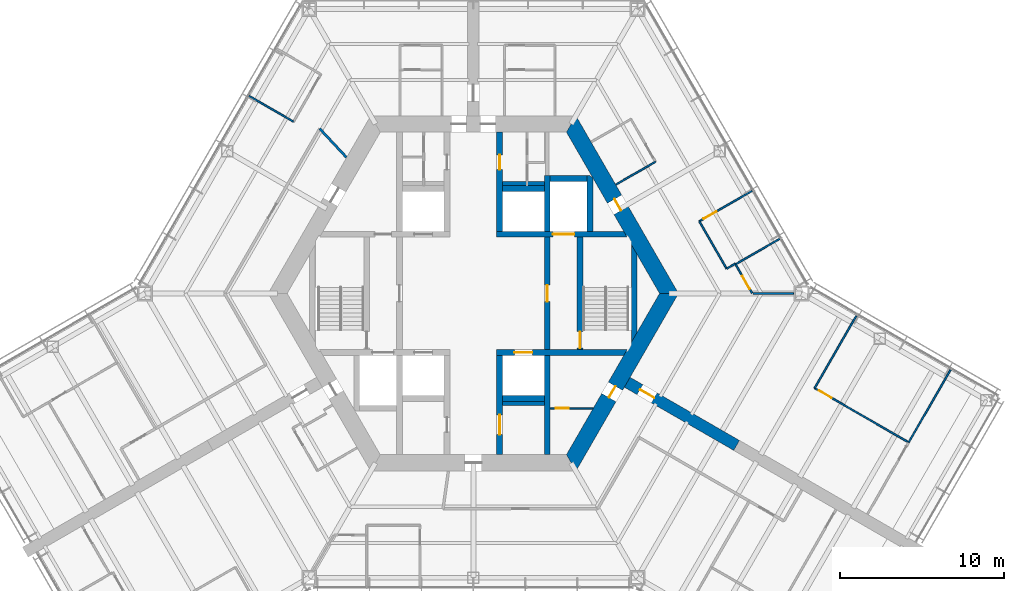
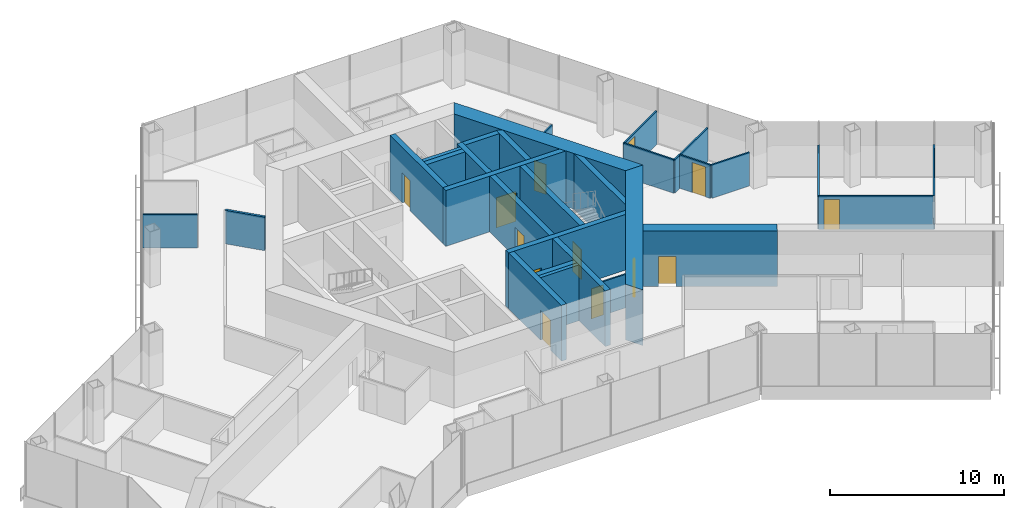
# One storey, part 14 of 18: 31 walls, 13 doors, 13 openings.
"""IFC4 building model written with IfcOpenShell, lengths in metres."""

from ifc_helpers import new_model, si_unit, direction, frame, frame_2d, origin, place, context, subcontext, project, spatial, polyline, rectangle, outline, extrude, material, layer, layer_set, type_object, element, fill, save


model = new_model("IFC4")

# Units and contexts
model_context = context("Model", 3, precision=1e-05, world=origin(), true_north=direction((0.0, 1.0)))
body_context = subcontext(model_context, "Body", "Model", "MODEL_VIEW")
ifc_project = project(units=[si_unit("LENGTHUNIT", "METRE"), si_unit("AREAUNIT", "SQUARE_METRE"), si_unit("VOLUMEUNIT", "CUBIC_METRE"), si_unit("PLANEANGLEUNIT", "RADIAN"), si_unit("MASSUNIT", "GRAM", prefix="KILO")], contexts=[model_context])

# Site, building, storey
site_placement = place(None, origin())
site = spatial("IfcSite", under=ifc_project, at=site_placement, CompositionType="ELEMENT")
building_placement = place(site_placement, origin())
building = spatial("IfcBuilding", under=site, at=building_placement, Name="Kasaneha Research Tower", CompositionType="ELEMENT")
storey_placement = place(building_placement, frame((0.0, 0.0, 199.39990234375)))
storey = spatial("IfcBuildingStorey", under=building, at=storey_placement, Name="L50", CompositionType="ELEMENT", Elevation=199.39990234375)

# Wall, opening, door
ifc_material_1 = material(Name="Concrete Fc70", Category="concrete")
ifc_layer_1 = layer(ifc_material_1, 0.35009765625)
ifc_layer_set_1 = layer_set([ifc_layer_1], Name="Core internal wall 350 Fc70")
wall_type_1 = type_object("IfcWallType", Name="Core internal wall 350 Fc70", PredefinedType="SHEAR", material=ifc_layer_set_1)
wall_1_placement = place(storey_placement, frame((1.425048828125, 3.60009765625, 0.0), z_axis=(0.0, 0.0, 1.0), x_axis=(1.0, 0.0, 0.0)))
wall_1 = element("IfcWall", 1, at=wall_1_placement, inside=storey, type_object=wall_type_1, Name="Core wall W1E L50", PredefinedType="SHEAR", context=body_context, shape_type="SweptSolid", body=[
    extrude(outline(polyline([(0.0, -0.175048828125), (3.425048828125, -0.175048828125), (4.72509765625, -0.175048828125), (7.9423828125, -0.175048828125), (7.740234375, 0.175048828125), (4.72509765625, 0.175048828125), (3.425048828125, 0.175048828125), (0.0, 0.175048828125), (0.0, -0.175048828125)])), origin(), (0.0, 0.0, 1.0), 3.900146484375),
])
opening_1_placement = place(wall_1_placement, frame((3.425048828125, 0.0, 0.0)))
opening_1 = element("IfcOpeningElement", 2, at=opening_1_placement, cuts=wall_1, Name="Opening LD-FL1-L50", PredefinedType="OPENING", context=body_context, shape_type="SweptSolid", body=[
    extrude(rectangle(XDim=1.300048828125, YDim=2.10009765625, at=frame_2d((0.64990234375, 1.050048828125))), frame((0.0, 0.18505859375, 0.0), z_axis=(0.0, -1.0, 0.0), x_axis=(1.0, 0.0, 0.0)), (0.0, 0.0, 1.0), 0.3701171875),
])
ifc_material_2 = material(Name="Steel", Category="steel")
door_type_1 = type_object("IfcDoorType", Name="Lift landing door 1300x2100", OperationType="DOUBLE_DOOR_SLIDING", PredefinedType="DOOR", material=ifc_material_2)
door_1_placement = place(opening_1_placement, origin())
door_1 = element("IfcDoor", 3, at=door_1_placement, inside=storey, type_object=door_type_1, Name="Landing door FL1 LD-FL1-L50", OperationType="DOUBLE_DOOR_SLIDING", OverallHeight=2.10009765625, OverallWidth=1.300048828125, PredefinedType="DOOR", context=body_context, shape_type="SweptSolid", body=[
    extrude(rectangle(XDim=1.300048828125, YDim=2.10009765625, at=frame_2d((0.64990234375, 1.050048828125))), frame((0.0, 0.02490234375, 0.0), z_axis=(0.0, -1.0, 0.0), x_axis=(1.0, 0.0, 0.0)), (0.0, 0.0, 1.0), 0.050048828125),
])
fill(opening_1, door_1)

wall_2_placement = place(storey_placement, frame((1.425048828125, -3.60009765625, 0.0), z_axis=(0.0, 0.0, 1.0), x_axis=(1.0, 0.0, 0.0)))
wall_2 = element("IfcWall", 4, at=wall_2_placement, inside=storey, type_object=wall_type_1, Name="Core wall W2E L50", PredefinedType="SHEAR", context=body_context, shape_type="SweptSolid", body=[
    extrude(outline(polyline([(0.0, -0.175048828125), (1.074951171875, -0.175048828125), (2.175048828125, -0.175048828125), (7.740234375, -0.175048828125), (7.9423828125, 0.175048828125), (2.175048828125, 0.175048828125), (1.074951171875, 0.175048828125), (0.0, 0.175048828125), (0.0, -0.175048828125)])), origin(), (0.0, 0.0, 1.0), 3.900146484375),
])
opening_2_placement = place(wall_2_placement, frame((1.074951171875, 0.0, 0.0)))
opening_2 = element("IfcOpeningElement", 5, at=opening_2_placement, cuts=wall_2, Name="Opening LD-LM2-L50", PredefinedType="OPENING", context=body_context, shape_type="SweptSolid", body=[
    extrude(rectangle(XDim=1.10009765625, YDim=2.10009765625, at=frame_2d((0.550048828125, 1.050048828125))), frame((0.0, 0.18505859375, 0.0), z_axis=(0.0, -1.0, 0.0), x_axis=(1.0, 0.0, 0.0)), (0.0, 0.0, 1.0), 0.3701171875),
])
ifc_material_3 = material(Name="Steel", Category="steel")
door_type_2 = type_object("IfcDoorType", Name="Lift landing door 1100x2100", OperationType="DOUBLE_DOOR_SLIDING", PredefinedType="DOOR", material=ifc_material_3)
door_2_placement = place(opening_2_placement, origin())
door_2 = element("IfcDoor", 6, at=door_2_placement, inside=storey, type_object=door_type_2, Name="Landing door LM2 LD-LM2-L50", OperationType="DOUBLE_DOOR_SLIDING", OverallHeight=2.10009765625, OverallWidth=1.10009765625, PredefinedType="DOOR", context=body_context, shape_type="SweptSolid", body=[
    extrude(rectangle(XDim=1.10009765625, YDim=2.10009765625, at=frame_2d((0.550048828125, 1.050048828125))), frame((0.0, 0.02490234375, 0.0), z_axis=(0.0, -1.0, 0.0), x_axis=(1.0, 0.0, 0.0)), (0.0, 0.0, 1.0), 0.050048828125),
])
fill(opening_2, door_2)

wall_3_placement = place(storey_placement, frame((1.60009765625, 3.77490234375, 0.0), z_axis=(0.0, 0.0, 1.0), x_axis=(0.0, 1.0, 0.0)))
wall_3 = element("IfcWall", 7, at=wall_3_placement, inside=storey, type_object=wall_type_1, Name="Core wall CNE L50", PredefinedType="SHEAR", context=body_context, shape_type="SweptSolid", body=[
    extrude(rectangle(XDim=6.050048828125, YDim=0.35009765625, at=frame_2d((3.02490234375, 0.0))), origin(), (0.0, 0.0, 1.0), 3.900146484375),
])
opening_3_placement = place(wall_3_placement, frame((3.77490234375, 0.0, 0.0)))
opening_3 = element("IfcOpeningElement", 8, at=opening_3_placement, cuts=wall_3, Name="Opening L50-D14", PredefinedType="OPENING", context=body_context, shape_type="SweptSolid", body=[
    extrude(rectangle(XDim=0.89990234375, YDim=2.10009765625, at=frame_2d((0.449951171875, 1.050048828125))), frame((0.0, 0.18505859375, 0.0), z_axis=(0.0, -1.0, 0.0), x_axis=(1.0, 0.0, 0.0)), (0.0, 0.0, 1.0), 0.3701171875),
])
ifc_material_4 = material(Name="Steel", Category="steel")
door_type_3 = type_object("IfcDoorType", Name="Toilet door FD20 900x2100", OperationType="NOTDEFINED", PredefinedType="DOOR", material=ifc_material_4)
door_3_placement = place(opening_3_placement, origin())
door_3 = element("IfcDoor", 9, at=door_3_placement, inside=storey, type_object=door_type_3, Name="Women's WC door L50-D14", OperationType="SINGLE_SWING_LEFT", OverallHeight=2.10009765625, OverallWidth=0.89990234375, PredefinedType="DOOR", context=body_context, shape_type="SweptSolid", body=[
    extrude(rectangle(XDim=0.89990234375, YDim=2.10009765625, at=frame_2d((0.449951171875, 1.050048828125))), frame((0.0, 0.02490234375, 0.0), z_axis=(0.0, -1.0, 0.0), x_axis=(1.0, 0.0, 0.0)), (0.0, 0.0, 1.0), 0.050048828125),
])
fill(opening_3, door_3)

wall_4_placement = place(storey_placement, frame((1.60009765625, -3.77490234375, 0.0), z_axis=(0.0, 0.0, 1.0), x_axis=(0.0, -1.0, 0.0)))
wall_4 = element("IfcWall", 10, at=wall_4_placement, inside=storey, type_object=wall_type_1, Name="Core wall CSE L50", PredefinedType="SHEAR", context=body_context, shape_type="SweptSolid", body=[
    extrude(rectangle(XDim=6.050048828125, YDim=0.35009765625, at=frame_2d((3.02490234375, 0.0))), origin(), (0.0, 0.0, 1.0), 3.900146484375),
])
opening_4_placement = place(wall_4_placement, frame((3.625, 0.0, 0.0)))
opening_4 = element("IfcOpeningElement", 11, at=opening_4_placement, cuts=wall_4, Name="Opening L50-D15", PredefinedType="OPENING", context=body_context, shape_type="SweptSolid", body=[
    extrude(rectangle(XDim=1.199951171875, YDim=2.10009765625, at=frame_2d((0.60009765625, 1.050048828125))), frame((0.0, 0.18505859375, 0.0), z_axis=(0.0, -1.0, 0.0), x_axis=(1.0, 0.0, 0.0)), (0.0, 0.0, 1.0), 0.3701171875),
])
ifc_material_5 = material(Name="Steel", Category="steel")
door_type_4 = type_object("IfcDoorType", Name="Accessible toilet sliding door FD20 1200x2100", OperationType="SLIDING_TO_LEFT", PredefinedType="DOOR", material=ifc_material_5)
door_4_placement = place(opening_4_placement, origin())
door_4 = element("IfcDoor", 12, at=door_4_placement, inside=storey, type_object=door_type_4, Name="Accessible WC door L50-D15", OperationType="SLIDING_TO_LEFT", OverallHeight=2.10009765625, OverallWidth=1.199951171875, PredefinedType="DOOR", context=body_context, shape_type="SweptSolid", body=[
    extrude(rectangle(XDim=1.199951171875, YDim=2.10009765625, at=frame_2d((0.60009765625, 1.050048828125))), frame((0.0, 0.02490234375, 0.0), z_axis=(0.0, -1.0, 0.0), x_axis=(1.0, 0.0, 0.0)), (0.0, 0.0, 1.0), 0.050048828125),
])
fill(opening_4, door_4)

wall_5_placement = place(storey_placement, frame((4.5, -3.425048828125, 0.0), z_axis=(0.0, 0.0, 1.0), x_axis=(0.0, 1.0, 0.0)))
wall_5 = element("IfcWall", 13, at=wall_5_placement, inside=storey, type_object=wall_type_1, Name="Core wall LBE L50", PredefinedType="SHEAR", context=body_context, shape_type="SweptSolid", body=[
    extrude(rectangle(XDim=6.85009765625, YDim=0.35009765625, at=frame_2d((3.425048828125, 0.0))), origin(), (0.0, 0.0, 1.0), 3.900146484375),
])
opening_5_placement = place(wall_5_placement, frame((2.925048828125, 0.0, 0.0)))
opening_5 = element("IfcOpeningElement", 14, at=opening_5_placement, cuts=wall_5, Name="Opening L50-D08", PredefinedType="OPENING", context=body_context, shape_type="SweptSolid", body=[
    extrude(rectangle(XDim=1.0, YDim=2.10009765625, at=frame_2d((0.5, 1.050048828125))), frame((0.0, 0.18505859375, 0.0), z_axis=(0.0, -1.0, 0.0), x_axis=(1.0, 0.0, 0.0)), (0.0, 0.0, 1.0), 0.3701171875),
])
ifc_material_6 = material(Name="Steel", Category="steel")
door_type_5 = type_object("IfcDoorType", Name="Specified fire door FD60 1000x2100", OperationType="NOTDEFINED", PredefinedType="DOOR", material=ifc_material_6)
door_5_placement = place(opening_5_placement, origin())
door_5 = element("IfcDoor", 15, at=door_5_placement, inside=storey, type_object=door_type_5, Name="Lift lobby door east L50-D08", OperationType="SINGLE_SWING_LEFT", OverallHeight=2.10009765625, OverallWidth=1.0, PredefinedType="DOOR", context=body_context, shape_type="SweptSolid", body=[
    extrude(rectangle(XDim=1.0, YDim=2.10009765625, at=frame_2d((0.5, 1.050048828125))), frame((0.0, 0.02490234375, 0.0), z_axis=(0.0, -1.0, 0.0), x_axis=(1.0, 0.0, 0.0)), (0.0, 0.0, 1.0), 0.050048828125),
])
fill(opening_5, door_5)

wall_6_placement = place(storey_placement, frame((6.5, -3.425048828125, 0.0), z_axis=(0.0, 0.0, 1.0), x_axis=(0.0, 1.0, 0.0)))
wall_6 = element("IfcWall", 16, at=wall_6_placement, inside=storey, type_object=wall_type_1, Name="Core wall ANE L50", PredefinedType="SHEAR", context=body_context, shape_type="SweptSolid", body=[
    extrude(rectangle(XDim=6.85009765625, YDim=0.35009765625, at=frame_2d((3.425048828125, 0.0))), origin(), (0.0, 0.0, 1.0), 3.900146484375),
])
opening_6_placement = place(wall_6_placement, frame((0.10009765625, 0.0, 0.0)))
opening_6 = element("IfcOpeningElement", 17, at=opening_6_placement, cuts=wall_6, Name="Opening L50-D10", PredefinedType="OPENING", context=body_context, shape_type="SweptSolid", body=[
    extrude(rectangle(XDim=1.0, YDim=2.10009765625, at=frame_2d((0.5, 1.050048828125))), frame((0.0, 0.18505859375, 0.0), z_axis=(0.0, -1.0, 0.0), x_axis=(1.0, 0.0, 0.0)), (0.0, 0.0, 1.0), 0.3701171875),
])
door_6_placement = place(opening_6_placement, origin())
door_6 = element("IfcDoor", 18, at=door_6_placement, inside=storey, type_object=door_type_5, Name="Stair 1 door L50-D10", OperationType="SINGLE_SWING_LEFT", OverallHeight=2.10009765625, OverallWidth=1.0, PredefinedType="DOOR", context=body_context, shape_type="SweptSolid", body=[
    extrude(rectangle(XDim=1.0, YDim=2.10009765625, at=frame_2d((0.5, 1.050048828125))), frame((0.0, 0.02490234375, 0.0), z_axis=(0.0, -1.0, 0.0), x_axis=(1.0, 0.0, 0.0)), (0.0, 0.0, 1.0), 0.050048828125),
])
fill(opening_6, door_6)

# Walls
wall_7_placement = place(storey_placement, frame((4.5, 3.77490234375, 0.0), z_axis=(0.0, 0.0, 1.0), x_axis=(0.0, 1.0, 0.0)))
element("IfcWall", 19, at=wall_7_placement, inside=storey, type_object=wall_type_1, Name="Core wall FNE L50", PredefinedType="SHEAR", context=body_context, shape_type="SweptSolid", body=[
    extrude(rectangle(XDim=3.400146484375, YDim=0.35009765625, at=frame_2d((1.7001953125, 0.0))), origin(), (0.0, 0.0, 1.0), 3.900146484375),
])
wall_8_placement = place(storey_placement, frame((4.5, -3.77490234375, 0.0), z_axis=(0.0, 0.0, 1.0), x_axis=(0.0, -1.0, 0.0)))
element("IfcWall", 20, at=wall_8_placement, inside=storey, type_object=wall_type_1, Name="Core wall SSE L50", PredefinedType="SHEAR", context=body_context, shape_type="SweptSolid", body=[
    extrude(rectangle(XDim=6.050048828125, YDim=0.35009765625, at=frame_2d((3.02490234375, 0.0))), origin(), (0.0, 0.0, 1.0), 3.900146484375),
])
for number, where, z_axis, x_axis, name in (
    (21, (1.77490234375, 6.39990234375, 0.0), (0.0, 0.0, 1.0), (1.0, 0.0, 0.0), "Core wall N3N L50"),
    (22, (1.77490234375, -6.39990234375, 0.0), (0.0, 0.0, 1.0), (1.0, 0.0, 0.0), "Core wall S3S L50"),
):
    element("IfcWall", number, at=place(storey_placement, frame(where, z_axis=z_axis, x_axis=x_axis)), inside=storey, type_object=wall_type_1, Name=name, PredefinedType="SHEAR", context=body_context, shape_type="SweptSolid", body=[
        extrude(rectangle(XDim=2.550048828125, YDim=0.35009765625, at=frame_2d((1.27490234375, 0.0))), origin(), (0.0, 0.0, 1.0), 3.900146484375),
    ])
wall_9_placement = place(storey_placement, frame((4.675048828125, 7.0, 0.0), z_axis=(0.0, 0.0, 1.0), x_axis=(1.0, 0.0, 0.0)))
element("IfcWall", 23, at=wall_9_placement, inside=storey, type_object=wall_type_1, Name="Core wall F1N L50", PredefinedType="SHEAR", context=body_context, shape_type="SweptSolid", body=[
    extrude(rectangle(XDim=2.25, YDim=0.35009765625, at=frame_2d((1.125, 0.0))), origin(), (0.0, 0.0, 1.0), 3.900146484375),
])
wall_10_placement = place(storey_placement, frame((7.10009765625, 3.77490234375, 0.0), z_axis=(0.0, 0.0, 1.0), x_axis=(0.0, 1.0, 0.0)))
element("IfcWall", 24, at=wall_10_placement, inside=storey, type_object=wall_type_1, Name="Core wall F1E L50", PredefinedType="SHEAR", context=body_context, shape_type="SweptSolid", body=[
    extrude(outline(polyline([(0.0, -0.175048828125), (3.2744140625, -0.175048828125), (3.400146484375, 0.0), (3.400146484375, 0.175048828125), (0.0, 0.175048828125), (0.0, -0.175048828125)])), origin(), (0.0, 0.0, 1.0), 3.900146484375),
])
wall_11_placement = place(storey_placement, frame((9.807861328125, -2.662353515625, 0.0), z_axis=(0.0, 0.0, 1.0), x_axis=(0.0, 1.0, 0.0)))
element("IfcWall", 25, at=wall_11_placement, inside=storey, type_object=wall_type_1, Name="Core wall STE L50", PredefinedType="SHEAR", context=body_context, shape_type="SweptSolid", body=[
    extrude(outline(polyline([(0.30322265625, -0.175048828125), (5.021484375, -0.175048828125), (5.6279296875, 0.175048828125), (-0.30322265625, 0.175048828125), (0.30322265625, -0.175048828125)])), origin(), (0.0, 0.0, 1.0), 3.900146484375),
])

# Wall, opening, door
ifc_material_7 = material(Name="Concrete Fc70", Category="concrete")
ifc_layer_2 = layer(ifc_material_7, 1.0)
ifc_layer_set_2 = layer_set([ifc_layer_2], Name="Core wall 1000 Fc70")
wall_type_2 = type_object("IfcWallType", Name="Core wall 1000 Fc70", PredefinedType="SHEAR", material=ifc_layer_set_2)
wall_12_placement = place(storey_placement, frame((11.92236328125, 0.0, 0.0), z_axis=(0.0, 0.0, 1.0), x_axis=(-0.500004296715, 0.866022923061, 0.0)))
wall_12 = element("IfcWall", 26, at=wall_12_placement, inside=storey, type_object=wall_type_2, Name="Core wall 030 L50", PredefinedType="SHEAR", context=body_context, shape_type="SweptSolid", body=[
    extrude(outline(polyline([(-0.28857421875, -0.5), (5.83544921875, -0.5), (6.635498046875, -0.5), (12.2109375, -0.5), (11.6337890625, 0.5), (6.635498046875, 0.5), (5.83544921875, 0.5), (0.28857421875, 0.5), (-0.28857421875, -0.5)])), origin(), (0.0, 0.0, 1.0), 3.900146484375),
])
opening_7_placement = place(wall_12_placement, frame((5.83544921875, 0.0, 0.0)))
opening_7 = element("IfcOpeningElement", 27, at=opening_7_placement, cuts=wall_12, Name="Opening L50-D04", PredefinedType="OPENING", context=body_context, shape_type="SweptSolid", body=[
    extrude(rectangle(XDim=0.800048828125, YDim=2.10009765625, at=frame_2d((0.39990234375, 1.050048828125))), frame((0.0, 0.510009765625, 0.0), z_axis=(0.0, -1.0, 0.0), x_axis=(1.0, 0.0, 0.0)), (0.0, 0.0, 1.0), 1.02001953125),
])
ifc_material_8 = material(Name="Steel", Category="steel")
door_type_6 = type_object("IfcDoorType", Name="Riser access door FD60 800x2100", OperationType="NOTDEFINED", PredefinedType="DOOR", material=ifc_material_8)
door_7_placement = place(opening_7_placement, origin())
door_7 = element("IfcDoor", 28, at=door_7_placement, inside=storey, type_object=door_type_6, Name="Pipe riser door L50-D04", OperationType="SINGLE_SWING_RIGHT", OverallHeight=2.10009765625, OverallWidth=0.800048828125, PredefinedType="DOOR", context=body_context, shape_type="SweptSolid", body=[
    extrude(rectangle(XDim=0.800048828125, YDim=2.10009765625, at=frame_2d((0.39990234375, 1.050048828125))), frame((0.0, 0.02490234375, 0.0), z_axis=(0.0, -1.0, 0.0), x_axis=(1.0, 0.0, 0.0)), (0.0, 0.0, 1.0), 0.050048828125),
])
fill(opening_7, door_7)

wall_13_placement = place(storey_placement, frame((5.961181640625, -10.324951171875, 0.0), z_axis=(0.0, 0.0, 1.0), x_axis=(0.500004296715, 0.866022923061, 0.0)))
wall_13 = element("IfcWall", 29, at=wall_13_placement, inside=storey, type_object=wall_type_2, Name="Core wall 330 L50", PredefinedType="SHEAR", context=body_context, shape_type="SweptSolid", body=[
    extrude(outline(polyline([(-0.28857421875, -0.5), (4.593994140625, -0.5), (5.39404296875, -0.5), (12.2109375, -0.5), (11.6337890625, 0.5), (5.39404296875, 0.5), (4.593994140625, 0.5), (0.28857421875, 0.5), (-0.28857421875, -0.5)])), origin(), (0.0, 0.0, 1.0), 3.900146484375),
])
opening_8_placement = place(wall_13_placement, frame((4.593994140625, 0.0, 0.0)))
opening_8 = element("IfcOpeningElement", 30, at=opening_8_placement, cuts=wall_13, Name="Opening L50-D05", PredefinedType="OPENING", context=body_context, shape_type="SweptSolid", body=[
    extrude(rectangle(XDim=0.800048828125, YDim=2.10009765625, at=frame_2d((0.39990234375, 1.050048828125))), frame((0.0, 0.510009765625, 0.0), z_axis=(0.0, -1.0, 0.0), x_axis=(1.0, 0.0, 0.0)), (0.0, 0.0, 1.0), 1.02001953125),
])
door_8_placement = place(opening_8_placement, origin())
door_8 = element("IfcDoor", 31, at=door_8_placement, inside=storey, type_object=door_type_6, Name="Pipe riser door L50-D05", OperationType="SINGLE_SWING_LEFT", OverallHeight=2.10009765625, OverallWidth=0.800048828125, PredefinedType="DOOR", context=body_context, shape_type="SweptSolid", body=[
    extrude(rectangle(XDim=0.800048828125, YDim=2.10009765625, at=frame_2d((0.39990234375, 1.050048828125))), frame((0.0, 0.02490234375, 0.0), z_axis=(0.0, -1.0, 0.0), x_axis=(1.0, 0.0, 0.0)), (0.0, 0.0, 1.0), 0.050048828125),
])
fill(opening_8, door_8)

ifc_material_9 = material(Name="Gypsum board on steel studs, one layer each side", Category="steel")
ifc_layer_3 = layer(ifc_material_9, 0.10009765625)
ifc_layer_set_3 = layer_set([ifc_layer_3], Name="Office partition 100")
wall_type_3 = type_object("IfcWallType", Name="Office partition 100", PredefinedType="PARTITIONING", material=ifc_layer_set_3)
wall_14_placement = place(storey_placement, frame((4.675048828125, -7.0, 0.0), z_axis=(0.0, 0.0, 1.0), x_axis=(1.0, 0.0, 0.0)))
wall_14 = element("IfcWall", 32, at=wall_14_placement, inside=storey, type_object=wall_type_3, Name="Office partition RS-SE L50", PredefinedType="PARTITIONING", context=body_context, shape_type="SweptSolid", body=[
    extrude(outline(polyline([(0.0, -0.050048828125), (0.35009765625, -0.050048828125), (1.150146484375, -0.050048828125), (2.599609375, -0.050048828125), (2.62841796875, 0.0), (2.63427734375, 0.050048828125), (1.150146484375, 0.050048828125), (0.35009765625, 0.050048828125), (0.0, 0.050048828125), (0.0, -0.050048828125)])), origin(), (0.0, 0.0, 1.0), 2.35009765625),
])
opening_9_placement = place(wall_14_placement, frame((0.35009765625, 0.0, 0.0)))
opening_9 = element("IfcOpeningElement", 33, at=opening_9_placement, cuts=wall_14, Name="Opening L50-D24", PredefinedType="OPENING", context=body_context, shape_type="SweptSolid", body=[
    extrude(rectangle(XDim=0.800048828125, YDim=2.10009765625, at=frame_2d((0.39990234375, 1.050048828125))), frame((0.0, 0.06005859375, 0.0), z_axis=(0.0, -1.0, 0.0), x_axis=(1.0, 0.0, 0.0)), (0.0, 0.0, 1.0), 0.1201171875),
])
door_9_placement = place(opening_9_placement, origin())
door_9 = element("IfcDoor", 34, at=door_9_placement, inside=storey, type_object=door_type_6, Name="Drainage riser door L50-D24", OperationType="SINGLE_SWING_LEFT", OverallHeight=2.10009765625, OverallWidth=0.800048828125, PredefinedType="DOOR", context=body_context, shape_type="SweptSolid", body=[
    extrude(rectangle(XDim=0.800048828125, YDim=2.10009765625, at=frame_2d((0.39990234375, 1.050048828125))), frame((0.0, 0.02490234375, 0.0), z_axis=(0.0, -1.0, 0.0), x_axis=(1.0, 0.0, 0.0)), (0.0, 0.0, 1.0), 0.050048828125),
])
fill(opening_9, door_9)

# Walls
wall_15_placement = place(storey_placement, frame((11.099609375, 8.02490234375, 0.0), z_axis=(0.0, 0.0, 1.0), x_axis=(-0.866056901187, -0.49994544093, 0.0)))
element("IfcWall", 35, at=wall_15_placement, inside=storey, type_object=wall_type_3, Name="Office partition FAE09 L50", PredefinedType="PARTITIONING", context=body_context, shape_type="SweptSolid", body=[
    extrude(rectangle(XDim=2.780029296875, YDim=0.10009765625, at=frame_2d((1.39013671875, 0.0))), origin(), (0.0, 0.0, 1.0), 2.35009765625),
])
wall_16_placement = place(storey_placement, frame((18.679443359375, 3.33544921875, 0.0), z_axis=(0.0, 0.0, 1.0), x_axis=(-0.866045268016, -0.499965592563, 0.0)))
element("IfcWall", 36, at=wall_16_placement, inside=storey, type_object=wall_type_3, Name="Office partition FAE10 L50", PredefinedType="PARTITIONING", context=body_context, shape_type="SweptSolid", body=[
    extrude(rectangle(XDim=3.129150390625, YDim=0.10009765625, at=frame_2d((1.564453125, 0.0))), origin(), (0.0, 0.0, 1.0), 2.35009765625),
])

# Wall, opening, door
wall_17_placement = place(storey_placement, frame((13.767333984375, 4.395263671875, 0.0), z_axis=(0.0, 0.0, 1.0), x_axis=(0.866028673236, 0.499994337101, 0.0)))
wall_17 = element("IfcWall", 37, at=wall_17_placement, inside=storey, type_object=wall_type_3, Name="Office partition FAE11 L50", PredefinedType="PARTITIONING", context=body_context, shape_type="SweptSolid", body=[
    extrude(rectangle(XDim=3.705078125, YDim=0.10009765625, at=frame_2d((1.8525390625, 0.0))), origin(), (0.0, 0.0, 1.0), 2.35009765625),
])
opening_10_placement = place(wall_17_placement, frame((0.300048828125, 0.0, 0.0)))
opening_10 = element("IfcOpeningElement", 38, at=opening_10_placement, cuts=wall_17, Name="Opening L50-D28", PredefinedType="OPENING", context=body_context, shape_type="SweptSolid", body=[
    extrude(rectangle(XDim=0.89990234375, YDim=2.10009765625, at=frame_2d((0.449951171875, 1.050048828125))), frame((0.0, 0.06005859375, 0.0), z_axis=(0.0, -1.0, 0.0), x_axis=(1.0, 0.0, 0.0)), (0.0, 0.0, 1.0), 0.1201171875),
])
ifc_material_10 = material(Name="Timber veneer", Category="wood")
door_type_7 = type_object("IfcDoorType", Name="Office door 900x2100", OperationType="SINGLE_SWING_LEFT", PredefinedType="DOOR", material=ifc_material_10)
door_10_placement = place(opening_10_placement, origin())
door_10 = element("IfcDoor", 39, at=door_10_placement, inside=storey, type_object=door_type_7, Name="Locker room door L50-D28", OperationType="SINGLE_SWING_LEFT", OverallHeight=2.10009765625, OverallWidth=0.89990234375, PredefinedType="DOOR", context=body_context, shape_type="SweptSolid", body=[
    extrude(rectangle(XDim=0.89990234375, YDim=2.10009765625, at=frame_2d((0.449951171875, 1.050048828125))), frame((0.0, 0.02490234375, 0.0), z_axis=(0.0, -1.0, 0.0), x_axis=(1.0, 0.0, 0.0)), (0.0, 0.0, 1.0), 0.050048828125),
])
fill(opening_10, door_10)

# Walls
wall_18_placement = place(storey_placement, frame((15.432861328125, 1.510498046875, 0.0), z_axis=(0.0, 0.0, 1.0), x_axis=(-0.500001606164, 0.866024476463, 0.0)))
element("IfcWall", 40, at=wall_18_placement, inside=storey, type_object=wall_type_3, Name="Office partition FAE12 L50", PredefinedType="PARTITIONING", context=body_context, shape_type="SweptSolid", body=[
    extrude(rectangle(XDim=3.3310546875, YDim=0.10009765625, at=frame_2d((1.66552734375, 0.0))), origin(), (0.0, 0.0, 1.0), 2.35009765625),
])
wall_19_placement = place(storey_placement, frame((15.956298828125, 1.812744140625, 0.0), z_axis=(0.0, 0.0, 1.0), x_axis=(-0.865997239347, -0.500048779063, 0.0)))
element("IfcWall", 41, at=wall_19_placement, inside=storey, type_object=wall_type_3, Name="Office partition FAE13 L50", PredefinedType="PARTITIONING", context=body_context, shape_type="SweptSolid", body=[
    extrude(rectangle(XDim=0.6044921875, YDim=0.10009765625, at=frame_2d((0.30224609375, 0.0))), origin(), (0.0, 0.0, 1.0), 2.35009765625),
])

# Wall, opening, door
wall_20_placement = place(storey_placement, frame((16.986083984375, 0.02001953125, 0.0), z_axis=(0.0, 0.0, 1.0), x_axis=(-0.498033790128, 0.86715762344, 0.0)))
wall_20 = element("IfcWall", 42, at=wall_20_placement, inside=storey, type_object=wall_type_3, Name="Office partition FAE14 L50", PredefinedType="PARTITIONING", context=body_context, shape_type="SweptSolid", body=[
    extrude(rectangle(XDim=2.024658203125, YDim=0.10009765625, at=frame_2d((1.01220703125, 0.0))), origin(), (0.0, 0.0, 1.0), 2.35009765625),
])
opening_11_placement = place(wall_20_placement, frame((0.300048828125, 0.0, 0.0)))
opening_11 = element("IfcOpeningElement", 43, at=opening_11_placement, cuts=wall_20, Name="Opening L50-D29", PredefinedType="OPENING", context=body_context, shape_type="SweptSolid", body=[
    extrude(rectangle(XDim=0.89990234375, YDim=2.10009765625, at=frame_2d((0.449951171875, 1.050048828125))), frame((0.0, 0.06005859375, 0.0), z_axis=(0.0, -1.0, 0.0), x_axis=(1.0, 0.0, 0.0)), (0.0, 0.0, 1.0), 0.1201171875),
])
door_11_placement = place(opening_11_placement, origin())
door_11 = element("IfcDoor", 44, at=door_11_placement, inside=storey, type_object=door_type_7, Name="Workroom door L50-D29", OperationType="SINGLE_SWING_LEFT", OverallHeight=2.10009765625, OverallWidth=0.89990234375, PredefinedType="DOOR", context=body_context, shape_type="SweptSolid", body=[
    extrude(rectangle(XDim=0.89990234375, YDim=2.10009765625, at=frame_2d((0.449951171875, 1.050048828125))), frame((0.0, 0.02490234375, 0.0), z_axis=(0.0, -1.0, 0.0), x_axis=(1.0, 0.0, 0.0)), (0.0, 0.0, 1.0), 0.050048828125),
])
fill(opening_11, door_11)

# Walls
wall_21_placement = place(storey_placement, frame((-10.9560546875, 10.464599609375, 0.0), z_axis=(0.0, 0.0, 1.0), x_axis=(-0.866012296238, 0.500022702249, 0.0)))
element("IfcWall", 45, at=wall_21_placement, inside=storey, type_object=wall_type_3, Name="Office partition FBN13 L50", PredefinedType="PARTITIONING", context=body_context, shape_type="SweptSolid", body=[
    extrude(rectangle(XDim=3.143798828125, YDim=0.10009765625, at=frame_2d((1.57177734375, 0.0))), origin(), (0.0, 0.0, 1.0), 2.35009765625),
])
wall_22_placement = place(storey_placement, frame((29.077392578125, -4.65771484375, 0.0), z_axis=(0.0, 0.0, 1.0), x_axis=(-0.500900533712, -0.86550485575, 0.0)))
element("IfcWall", 46, at=wall_22_placement, inside=storey, type_object=wall_type_3, Name="Office partition FCE01 L50", PredefinedType="PARTITIONING", context=body_context, shape_type="SweptSolid", body=[
    extrude(rectangle(XDim=5.10498046875, YDim=0.10009765625, at=frame_2d((2.552490234375, 0.0))), origin(), (0.0, 0.0, 1.0), 2.35009765625),
])
wall_23_placement = place(storey_placement, frame((20.792236328125, -5.76904296875, 0.0), z_axis=(0.0, 0.0, 1.0), x_axis=(0.500005339912, 0.866022320763, 0.0)))
element("IfcWall", 47, at=wall_23_placement, inside=storey, type_object=wall_type_3, Name="Office partition FCE02 L50", PredefinedType="PARTITIONING", context=body_context, shape_type="SweptSolid", body=[
    extrude(rectangle(XDim=5.080078125, YDim=0.10009765625, at=frame_2d((2.5400390625, 0.0))), origin(), (0.0, 0.0, 1.0), 2.35009765625),
])

# Wall, opening, door
wall_24_placement = place(storey_placement, frame((26.527099609375, -9.0751953125, 0.0), z_axis=(0.0, 0.0, 1.0), x_axis=(-0.866343956507, 0.499447844147, 0.0)))
wall_24 = element("IfcWall", 48, at=wall_24_placement, inside=storey, type_object=wall_type_3, Name="Office partition FCE03 L50", PredefinedType="PARTITIONING", context=body_context, shape_type="SweptSolid", body=[
    extrude(rectangle(XDim=6.61962890625, YDim=0.10009765625, at=frame_2d((3.309814453125, 0.0))), origin(), (0.0, 0.0, 1.0), 2.35009765625),
])
opening_12_placement = place(wall_24_placement, frame((5.419677734375, 0.0, 0.0)))
opening_12 = element("IfcOpeningElement", 49, at=opening_12_placement, cuts=wall_24, Name="Opening L50-D41", PredefinedType="OPENING", context=body_context, shape_type="SweptSolid", body=[
    extrude(rectangle(XDim=0.89990234375, YDim=2.10009765625, at=frame_2d((0.449951171875, 1.050048828125))), frame((0.0, 0.06005859375, 0.0), z_axis=(0.0, -1.0, 0.0), x_axis=(1.0, 0.0, 0.0)), (0.0, 0.0, 1.0), 0.1201171875),
])
door_12_placement = place(opening_12_placement, origin())
door_12 = element("IfcDoor", 50, at=door_12_placement, inside=storey, type_object=door_type_7, Name="Large meeting room door L50-D41", OperationType="SINGLE_SWING_RIGHT", OverallHeight=2.10009765625, OverallWidth=0.89990234375, PredefinedType="DOOR", context=body_context, shape_type="SweptSolid", body=[
    extrude(rectangle(XDim=0.89990234375, YDim=2.10009765625, at=frame_2d((0.449951171875, 1.050048828125))), frame((0.0, 0.02490234375, 0.0), z_axis=(0.0, -1.0, 0.0), x_axis=(1.0, 0.0, 0.0)), (0.0, 0.0, 1.0), 0.050048828125),
])
fill(opening_12, door_12)

# Wall
wall_25_placement = place(storey_placement, frame((19.5185546875, 0.0, 0.0), z_axis=(0.0, 0.0, 1.0), x_axis=(-1.0, 0.0, 0.0)))
element("IfcWall", 51, at=wall_25_placement, inside=storey, type_object=wall_type_3, Name="Office partition closer PT5 L50", PredefinedType="PARTITIONING", context=body_context, shape_type="SweptSolid", body=[
    extrude(rectangle(XDim=2.477783203125, YDim=0.10009765625, at=frame_2d((1.23876953125, 0.0))), origin(), (0.0, 0.0, 1.0), 2.35009765625),
])

# Wall, opening, door
ifc_material_11 = material(Name="Concrete Fc70", Category="concrete")
ifc_layer_4 = layer(ifc_material_11, 0.699951171875)
ifc_layer_set_4 = layer_set([ifc_layer_4], Name="Spine wall 700 Fc70")
wall_type_4 = type_object("IfcWallType", Name="Spine wall 700 Fc70", PredefinedType="SHEAR", material=ifc_layer_set_4)
wall_26_placement = place(storey_placement, frame((9.374755859375, -5.41259765625, 0.0), z_axis=(0.0, 0.0, 1.0), x_axis=(0.866032377459, -0.499987921047, 0.0)))
wall_26 = element("IfcWall", 52, at=wall_26_placement, inside=storey, type_object=wall_type_4, Name="Spine wall C L50", PredefinedType="SHEAR", context=body_context, shape_type="SweptSolid", body=[
    extrude(rectangle(XDim=7.695556640625, YDim=0.699951171875, at=frame_2d((3.84765625, 0.0))), origin(), (0.0, 0.0, 1.0), 3.900146484375),
])
opening_13_placement = place(wall_26_placement, frame((0.89990234375, 0.0, 0.0)))
opening_13 = element("IfcOpeningElement", 53, at=opening_13_placement, cuts=wall_26, Name="Opening L50-D19", PredefinedType="OPENING", context=body_context, shape_type="SweptSolid", body=[
    extrude(rectangle(XDim=1.0, YDim=2.10009765625, at=frame_2d((0.5, 1.050048828125))), frame((0.0, 0.35986328125, 0.0), z_axis=(0.0, -1.0, 0.0), x_axis=(1.0, 0.0, 0.0)), (0.0, 0.0, 1.0), 0.719970703125),
])
door_13_placement = place(opening_13_placement, origin())
door_13 = element("IfcDoor", 54, at=door_13_placement, inside=storey, type_object=door_type_5, Name="Spine doorway C L50-D19", OperationType="SINGLE_SWING_LEFT", OverallHeight=2.10009765625, OverallWidth=1.0, PredefinedType="DOOR", context=body_context, shape_type="SweptSolid", body=[
    extrude(rectangle(XDim=1.0, YDim=2.10009765625, at=frame_2d((0.5, 1.050048828125))), frame((0.0, 0.02490234375, 0.0), z_axis=(0.0, -1.0, 0.0), x_axis=(1.0, 0.0, 0.0)), (0.0, 0.0, 1.0), 0.050048828125),
])
fill(opening_13, door_13)

# Walls
ifc_material_12 = material(Name="Gypsum board on steel studs, two layers each side", Category="steel")
ifc_layer_5 = layer(ifc_material_12, 0.14990234375)
ifc_layer_set_5 = layer_set([ifc_layer_5], Name="Suite partition 150")
wall_type_5 = type_object("IfcWallType", Name="Suite partition 150", PredefinedType="PARTITIONING", material=ifc_layer_set_5)
wall_27_placement = place(storey_placement, frame((-9.360107421875, 10.03759765625, 0.0), z_axis=(0.0, 0.0, 1.0), x_axis=(0.681997114248, -0.731354863358, 0.0)))
element("IfcWall", 55, at=wall_27_placement, inside=storey, type_object=wall_type_5, Name="Suite partition FBN04 L50", PredefinedType="PARTITIONING", context=body_context, shape_type="SweptSolid", body=[
    extrude(outline(polyline([(0.0, -0.074951171875), (2.384033203125, -0.074951171875), (2.384033203125, 0.0), (2.382080078125, 0.074951171875), (0.0, 0.074951171875), (0.0, -0.074951171875)])), origin(), (0.0, 0.0, 1.0), 2.35009765625),
])
ifc_material_13 = material(Name="Concrete block lining", Category="concrete")
ifc_layer_6 = layer(ifc_material_13, 0.25)
ifc_layer_set_6 = layer_set([ifc_layer_6], Name="WC plumbing wall 250")
wall_type_6 = type_object("IfcWallType", Name="WC plumbing wall 250", PredefinedType="PLUMBINGWALL", material=ifc_layer_set_6)
for number, where, z_axis, x_axis, name in (
    (56, (1.77490234375, 6.699951171875, 0.0), (0.0, 0.0, 1.0), (1.0, 0.0, 0.0), "WC plumbing wall F L50"),
    (57, (1.77490234375, -6.699951171875, 0.0), (0.0, 0.0, 1.0), (1.0, 0.0, 0.0), "WC plumbing wall A L50"),
):
    element("IfcWall", number, at=place(storey_placement, frame(where, z_axis=z_axis, x_axis=x_axis)), inside=storey, type_object=wall_type_6, Name=name, PredefinedType="PLUMBINGWALL", context=body_context, shape_type="SweptSolid", body=[
        extrude(rectangle(XDim=2.550048828125, YDim=0.25, at=frame_2d((1.27490234375, 0.0))), origin(), (0.0, 0.0, 1.0), 3.900146484375),
    ])

save(model, "model.ifc")
